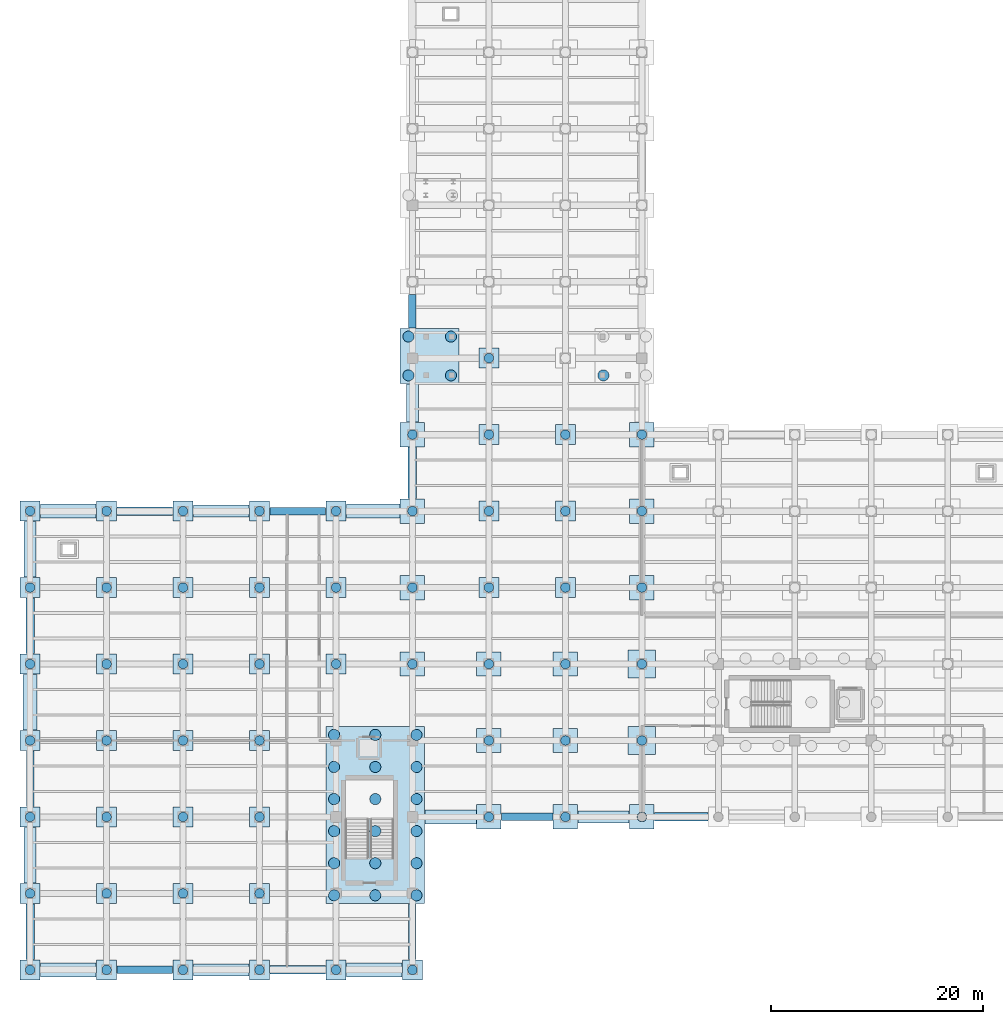
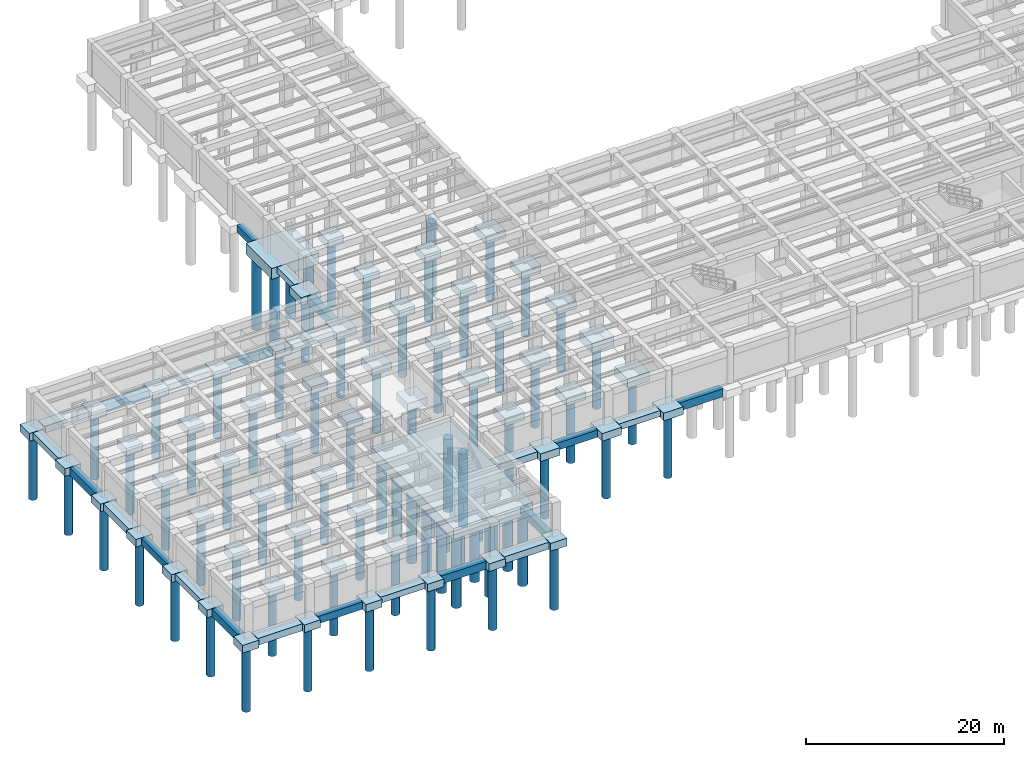
# One storey, part 1 of 34: 82 footings, 79 piles.
"""IFC4 building model written with IfcOpenShell, lengths in metres."""

from ifc_helpers import new_model, si_unit, direction, frame, origin, origin_2d, place, context, subcontext, project, spatial, polyline, rectangle, circle, outline, extrude, material, material_profile, profile_set, type_object, element, save


model = new_model("IFC4")

# Units and contexts
model_context = context("Model", 3, precision=1e-05, world=origin(), true_north=direction((0.0, 1.0)))
body_context = subcontext(model_context, "Body", "Model", "MODEL_VIEW")
ifc_project = project(units=[si_unit("LENGTHUNIT", "METRE"), si_unit("AREAUNIT", "SQUARE_METRE"), si_unit("VOLUMEUNIT", "CUBIC_METRE"), si_unit("PLANEANGLEUNIT", "RADIAN"), si_unit("MASSUNIT", "GRAM", prefix="KILO")], contexts=[model_context])

# Site, building, storey
site_placement = place(None, origin())
site = spatial("IfcSite", under=ifc_project, at=site_placement, CompositionType="ELEMENT")
building_placement = place(site_placement, origin())
building = spatial("IfcBuilding", under=site, at=building_placement, Name="Solenvale Faculty of Natural Sciences", CompositionType="ELEMENT")
storey_placement = place(building_placement, frame((0.0, 0.0, -4.5)))
storey = spatial("IfcBuildingStorey", under=building, at=storey_placement, Name="B01", CompositionType="ELEMENT", Elevation=-4.5)

# Footings
ifc_material = material(Name="Concrete 40 MPa", Category="concrete")
footing_type_1 = type_object("IfcFootingType", Name="FT-CAP-1900x1900x950", PredefinedType="PILE_CAP", material=ifc_material)
for number, where, z_axis, x_axis, name in (
    (1, (0.0, 0.0, -1.2998046875), (0.0, 0.0, 1.0), (1.0, 0.0, 0.0), "B01 Pile Cap 1"),
    (2, (7.199951171875, 0.0, -1.2998046875), (0.0, 0.0, 1.0), (1.0, 0.0, 0.0), "B01 Pile Cap 2"),
    (3, (14.39990234375, 0.0, -1.2998046875), (0.0, 0.0, 1.0), (1.0, 0.0, 0.0), "B01 Pile Cap 3"),
    (4, (21.60009765625, 0.0, -1.2998046875), (0.0, 0.0, 1.0), (1.0, 0.0, 0.0), "B01 Pile Cap 4"),
    (5, (28.800048828125, 0.0, -1.2998046875), (0.0, 0.0, 1.0), (1.0, 0.0, 0.0), "B01 Pile Cap 5"),
    (6, (36.0, 0.0, -1.2998046875), (0.0, 0.0, 1.0), (1.0, 0.0, 0.0), "B01 Pile Cap 6"),
    (7, (0.0, 7.199951171875, -1.2998046875), (0.0, 0.0, 1.0), (1.0, 0.0, 0.0), "B01 Pile Cap 7"),
    (8, (7.199951171875, 7.199951171875, -1.2998046875), (0.0, 0.0, 1.0), (1.0, 0.0, 0.0), "B01 Pile Cap 8"),
    (9, (14.39990234375, 7.199951171875, -1.2998046875), (0.0, 0.0, 1.0), (1.0, 0.0, 0.0), "B01 Pile Cap 9"),
    (10, (21.60009765625, 7.199951171875, -1.2998046875), (0.0, 0.0, 1.0), (1.0, 0.0, 0.0), "B01 Pile Cap 10"),
    (11, (0.0, 14.39990234375, -1.2998046875), (0.0, 0.0, 1.0), (1.0, 0.0, 0.0), "B01 Pile Cap 15"),
    (12, (7.199951171875, 14.39990234375, -1.2998046875), (0.0, 0.0, 1.0), (1.0, 0.0, 0.0), "B01 Pile Cap 16"),
    (13, (14.39990234375, 14.39990234375, -1.2998046875), (0.0, 0.0, 1.0), (1.0, 0.0, 0.0), "B01 Pile Cap 17"),
    (14, (21.60009765625, 14.39990234375, -1.2998046875), (0.0, 0.0, 1.0), (1.0, 0.0, 0.0), "B01 Pile Cap 18"),
    (15, (0.0, 21.60009765625, -1.2998046875), (0.0, 0.0, 1.0), (1.0, 0.0, 0.0), "B01 Pile Cap 35"),
    (16, (7.199951171875, 21.60009765625, -1.2998046875), (0.0, 0.0, 1.0), (1.0, 0.0, 0.0), "B01 Pile Cap 36"),
    (17, (14.39990234375, 21.60009765625, -1.2998046875), (0.0, 0.0, 1.0), (1.0, 0.0, 0.0), "B01 Pile Cap 37"),
    (18, (21.60009765625, 21.60009765625, -1.2998046875), (0.0, 0.0, 1.0), (1.0, 0.0, 0.0), "B01 Pile Cap 38"),
    (19, (0.0, 28.800048828125, -1.2998046875), (0.0, 0.0, 1.0), (1.0, 0.0, 0.0), "B01 Pile Cap 46"),
    (20, (7.199951171875, 28.800048828125, -1.2998046875), (0.0, 0.0, 1.0), (1.0, 0.0, 0.0), "B01 Pile Cap 47"),
    (21, (14.39990234375, 28.800048828125, -1.2998046875), (0.0, 0.0, 1.0), (1.0, 0.0, 0.0), "B01 Pile Cap 48"),
    (22, (21.60009765625, 28.800048828125, -1.2998046875), (0.0, 0.0, 1.0), (1.0, 0.0, 0.0), "B01 Pile Cap 49"),
    (23, (28.800048828125, 28.800048828125, -1.2998046875), (0.0, 0.0, 1.0), (1.0, 0.0, 0.0), "B01 Pile Cap 50"),
    (24, (0.0, 36.0, -1.2998046875), (0.0, 0.0, 1.0), (1.0, 0.0, 0.0), "B01 Pile Cap 67"),
    (25, (7.199951171875, 36.0, -1.2998046875), (0.0, 0.0, 1.0), (1.0, 0.0, 0.0), "B01 Pile Cap 68"),
    (26, (14.39990234375, 36.0, -1.2998046875), (0.0, 0.0, 1.0), (1.0, 0.0, 0.0), "B01 Pile Cap 69"),
    (27, (21.60009765625, 36.0, -1.2998046875), (0.0, 0.0, 1.0), (1.0, 0.0, 0.0), "B01 Pile Cap 70"),
    (28, (28.800048828125, 36.0, -1.2998046875), (0.0, 0.0, 1.0), (1.0, 0.0, 0.0), "B01 Pile Cap 71"),
    (29, (43.199951171875, 36.0, -1.2998046875), (0.0, 0.0, 1.0), (1.0, 0.0, 0.0), "B01 Pile Cap 72"),
    (30, (50.39990234375, 36.0, -1.2998046875), (0.0, 0.0, 1.0), (1.0, 0.0, 0.0), "B01 Pile Cap 73"),
    (31, (0.0, 43.199951171875, -1.2998046875), (0.0, 0.0, 1.0), (1.0, 0.0, 0.0), "B01 Pile Cap 91"),
    (32, (7.199951171875, 43.199951171875, -1.2998046875), (0.0, 0.0, 1.0), (1.0, 0.0, 0.0), "B01 Pile Cap 92"),
    (33, (14.39990234375, 43.199951171875, -1.2998046875), (0.0, 0.0, 1.0), (1.0, 0.0, 0.0), "B01 Pile Cap 93"),
    (34, (21.60009765625, 43.199951171875, -1.2998046875), (0.0, 0.0, 1.0), (1.0, 0.0, 0.0), "B01 Pile Cap 94"),
    (35, (28.800048828125, 43.199951171875, -1.2998046875), (0.0, 0.0, 1.0), (1.0, 0.0, 0.0), "B01 Pile Cap 95"),
    (36, (43.199951171875, 43.199951171875, -1.2998046875), (0.0, 0.0, 1.0), (1.0, 0.0, 0.0), "B01 Pile Cap 96"),
    (37, (50.39990234375, 43.199951171875, -1.2998046875), (0.0, 0.0, 1.0), (1.0, 0.0, 0.0), "B01 Pile Cap 97"),
    (38, (43.199951171875, 50.39990234375, -1.2998046875), (0.0, 0.0, 1.0), (1.0, 0.0, 0.0), "B01 Pile Cap 106"),
    (39, (50.39990234375, 50.39990234375, -1.2998046875), (0.0, 0.0, 1.0), (1.0, 0.0, 0.0), "B01 Pile Cap 107"),
    (40, (43.199951171875, 57.60009765625, -1.2998046875), (0.0, 0.0, 1.0), (1.0, 0.0, 0.0), "B01 Pile Cap 121"),
):
    element("IfcFooting", number, at=place(storey_placement, frame(where, z_axis=z_axis, x_axis=x_axis)), inside=storey, type_object=footing_type_1, Name=name, PredefinedType="PILE_CAP", context=body_context, shape_type="SweptSolid", body=[
        extrude(rectangle(XDim=1.89990234375, YDim=1.89990234375, at=origin_2d()), origin(), (0.0, 0.0, 1.0), 0.949951171875),
    ])
footing_type_2 = type_object("IfcFootingType", Name="FT-CAP-2300x2300x950", PredefinedType="PILE_CAP", material=ifc_material)
for number, where, z_axis, x_axis, name in (
    (41, (43.199951171875, 14.39990234375, -1.2998046875), (0.0, 0.0, 1.0), (1.0, 0.0, 0.0), "B01 Pile Cap 12"),
    (42, (50.39990234375, 14.39990234375, -1.2998046875), (0.0, 0.0, 1.0), (1.0, 0.0, 0.0), "B01 Pile Cap 13"),
    (43, (57.60009765625, 14.39990234375, -1.2998046875), (0.0, 0.0, 1.0), (1.0, 0.0, 0.0), "B01 Pile Cap 14"),
    (44, (43.199951171875, 21.60009765625, -1.2998046875), (0.0, 0.0, 1.0), (1.0, 0.0, 0.0), "B01 Pile Cap 33"),
    (45, (50.39990234375, 21.60009765625, -1.2998046875), (0.0, 0.0, 1.0), (1.0, 0.0, 0.0), "B01 Pile Cap 34"),
    (46, (36.0, 28.800048828125, -1.2998046875), (0.0, 0.0, 1.0), (1.0, 0.0, 0.0), "B01 Pile Cap 43"),
    (47, (43.199951171875, 28.800048828125, -1.2998046875), (0.0, 0.0, 1.0), (1.0, 0.0, 0.0), "B01 Pile Cap 44"),
    (48, (50.39990234375, 28.800048828125, -1.2998046875), (0.0, 0.0, 1.0), (1.0, 0.0, 0.0), "B01 Pile Cap 45"),
    (49, (36.0, 36.0, -1.2998046875), (0.0, 0.0, 1.0), (1.0, 0.0, 0.0), "B01 Pile Cap 51"),
    (50, (57.60009765625, 36.0, -1.2998046875), (0.0, 0.0, 1.0), (1.0, 0.0, 0.0), "B01 Pile Cap 52"),
    (51, (36.0, 43.199951171875, -1.2998046875), (0.0, 0.0, 1.0), (1.0, 0.0, 0.0), "B01 Pile Cap 75"),
    (52, (57.60009765625, 43.199951171875, -1.2998046875), (0.0, 0.0, 1.0), (1.0, 0.0, 0.0), "B01 Pile Cap 76"),
    (53, (36.0, 50.39990234375, -1.2998046875), (0.0, 0.0, 1.0), (1.0, 0.0, 0.0), "B01 Pile Cap 100"),
    (54, (57.60009765625, 50.39990234375, -1.2998046875), (0.0, 0.0, 1.0), (1.0, 0.0, 0.0), "B01 Pile Cap 101"),
):
    element("IfcFooting", number, at=place(storey_placement, frame(where, z_axis=z_axis, x_axis=x_axis)), inside=storey, type_object=footing_type_2, Name=name, PredefinedType="PILE_CAP", context=body_context, shape_type="SweptSolid", body=[
        extrude(rectangle(XDim=2.300048828125, YDim=2.300048828125, at=origin_2d()), origin(), (0.0, 0.0, 1.0), 0.949951171875),
    ])
footing_type_3 = type_object("IfcFootingType", Name="FT-CAP-2600x2600x1150", PredefinedType="PILE_CAP", material=ifc_material)
for number, where, z_axis, x_axis, name in (
    (55, (57.60009765625, 21.60009765625, -1.5), (0.0, 0.0, 1.0), (1.0, 0.0, 0.0), "B01 Pile Cap 27"),
    (56, (57.60009765625, 28.800048828125, -1.5), (0.0, 0.0, 1.0), (1.0, 0.0, 0.0), "B01 Pile Cap 39"),
):
    element("IfcFooting", number, at=place(storey_placement, frame(where, z_axis=z_axis, x_axis=x_axis)), inside=storey, type_object=footing_type_3, Name=name, PredefinedType="PILE_CAP", context=body_context, shape_type="SweptSolid", body=[
        extrude(rectangle(XDim=2.60009765625, YDim=2.60009765625, at=origin_2d()), origin(), (0.0, 0.0, 1.0), 1.14990234375),
    ])
footing_type_4 = type_object("IfcFootingType", Name="FT-CAP-5550x5200x1350", PredefinedType="PILE_CAP", material=ifc_material)
footing_1_placement = place(storey_placement, frame((37.625, 57.800048828125, -1.699951171875), z_axis=(0.0, 0.0, 1.0), x_axis=(1.0, 0.0, 0.0)))
element("IfcFooting", 57, at=footing_1_placement, inside=storey, type_object=footing_type_4, Name="B01 Pile Cap 116", PredefinedType="PILE_CAP", context=body_context, shape_type="SweptSolid", body=[
    extrude(rectangle(XDim=5.550048828125, YDim=5.199951171875, at=origin_2d()), origin(), (0.0, 0.0, 1.0), 1.35009765625),
])
footing_type_5 = type_object("IfcFootingType", Name="FT-CAP-9300x16650x1350", PredefinedType="PILE_CAP", material=ifc_material)
footing_2_placement = place(storey_placement, frame((32.5, 14.574951171875, -1.699951171875), z_axis=(0.0, 0.0, 1.0), x_axis=(1.0, 0.0, 0.0)))
element("IfcFooting", 58, at=footing_2_placement, inside=storey, type_object=footing_type_5, Name="B01 Pile Cap 11", PredefinedType="PILE_CAP", context=body_context, shape_type="SweptSolid", body=[
    extrude(rectangle(XDim=9.300048828125, YDim=16.64990234375, at=origin_2d()), origin(), (0.0, 0.0, 1.0), 1.35009765625),
])
footing_type_6 = type_object("IfcFootingType", Name="FT-GB-700x900", PredefinedType="FOOTING_BEAM", material=ifc_material)
footing_3_placement = place(storey_placement, frame((0.0, 0.0, -1.25)))
element("IfcFooting", 59, at=footing_3_placement, inside=storey, type_object=footing_type_6, Name="B01 Continuous Foundation Beam 1.4", PredefinedType="FOOTING_BEAM", context=body_context, shape_type="SweptSolid", body=[
    extrude(outline(polyline([(22.590087890625, 42.85009765625), (27.81005859375, 42.85009765625), (27.81005859375, 43.550048828125), (22.590087890625, 43.550048828125), (22.590087890625, 42.85009765625)])), origin(), (0.0, 0.0, 1.0), 0.89990234375),
])
footing_4_placement = place(storey_placement, frame((0.0, 0.0, -1.25)))
element("IfcFooting", 60, at=footing_4_placement, inside=storey, type_object=footing_type_6, Name="B01 Continuous Foundation Beam 2.3", PredefinedType="FOOTING_BEAM", context=body_context, shape_type="SweptSolid", body=[
    extrude(outline(polyline([(35.64990234375, 60.43994140625), (36.35009765625, 60.43994140625), (36.35009765625, 63.610107421875), (35.64990234375, 63.610107421875), (35.64990234375, 60.43994140625)])), origin(), (0.0, 0.0, 1.0), 0.89990234375),
])
footing_5_placement = place(storey_placement, frame((0.0, 0.0, -1.25)))
element("IfcFooting", 61, at=footing_5_placement, inside=storey, type_object=footing_type_6, Name="B01 Continuous Foundation Beam 19.10", PredefinedType="FOOTING_BEAM", context=body_context, shape_type="SweptSolid", body=[
    extrude(outline(polyline([(44.389892578125, 14.050048828125), (49.2099609375, 14.050048828125), (49.2099609375, 14.75), (44.389892578125, 14.75), (44.389892578125, 14.050048828125)])), origin(), (0.0, 0.0, 1.0), 0.89990234375),
])
footing_6_placement = place(storey_placement, frame((0.0, 0.0, -1.25)))
element("IfcFooting", 62, at=footing_6_placement, inside=storey, type_object=footing_type_6, Name="B01 Continuous Foundation Beam 20.1", PredefinedType="FOOTING_BEAM", context=body_context, shape_type="SweptSolid", body=[
    extrude(outline(polyline([(35.64990234375, 0.989990234375), (36.35009765625, 0.989990234375), (36.35009765625, 6.2099609375), (35.64990234375, 6.2099609375), (35.64990234375, 0.989990234375)])), origin(), (0.0, 0.0, 1.0), 0.89990234375),
])
footing_7_placement = place(storey_placement, frame((0.0, 0.0, -1.25)))
element("IfcFooting", 63, at=footing_7_placement, inside=storey, type_object=footing_type_6, Name="B01 Continuous Foundation Beam 21.4", PredefinedType="FOOTING_BEAM", context=body_context, shape_type="SweptSolid", body=[
    extrude(outline(polyline([(8.18994140625, -0.35009765625), (13.409912109375, -0.35009765625), (13.409912109375, 0.35009765625), (8.18994140625, 0.35009765625), (8.18994140625, -0.35009765625)])), origin(), (0.0, 0.0, 1.0), 0.89990234375),
])
footing_8_placement = place(storey_placement, frame((0.0, 0.0, -1.25)))
element("IfcFooting", 64, at=footing_8_placement, inside=storey, type_object=footing_type_6, Name="B01 Continuous Foundation Beam 22.3", PredefinedType="FOOTING_BEAM", context=body_context, shape_type="SweptSolid", body=[
    extrude(outline(polyline([(-0.35009765625, 15.389892578125), (0.35009765625, 15.389892578125), (0.35009765625, 20.610107421875), (-0.35009765625, 20.610107421875), (-0.35009765625, 15.389892578125)])), origin(), (0.0, 0.0, 1.0), 0.89990234375),
])
footing_type_7 = type_object("IfcFootingType", Name="FT-GB-800x1000", PredefinedType="FOOTING_BEAM", material=ifc_material)
footing_9_placement = place(storey_placement, frame((0.0, 0.0, -1.35009765625)))
element("IfcFooting", 65, at=footing_9_placement, inside=storey, type_object=footing_type_7, Name="B01 Continuous Foundation Beam 1.2", PredefinedType="FOOTING_BEAM", context=body_context, shape_type="SweptSolid", body=[
    extrude(outline(polyline([(8.18994140625, 42.800048828125), (13.409912109375, 42.800048828125), (13.409912109375, 43.60009765625), (8.18994140625, 43.60009765625), (8.18994140625, 42.800048828125)])), origin(), (0.0, 0.0, 1.0), 1.0),
])
footing_10_placement = place(storey_placement, frame((0.0, 0.0, -1.35009765625)))
element("IfcFooting", 66, at=footing_10_placement, inside=storey, type_object=footing_type_7, Name="B01 Continuous Foundation Beam 2.1", PredefinedType="FOOTING_BEAM", context=body_context, shape_type="SweptSolid", body=[
    extrude(outline(polyline([(35.60009765625, 44.389892578125), (36.39990234375, 44.389892578125), (36.39990234375, 49.2099609375), (35.60009765625, 49.2099609375), (35.60009765625, 44.389892578125)])), origin(), (0.0, 0.0, 1.0), 1.0),
])
footing_11_placement = place(storey_placement, frame((0.0, 0.0, -1.35009765625)))
element("IfcFooting", 67, at=footing_11_placement, inside=storey, type_object=footing_type_7, Name="B01 Continuous Foundation Beam 19.8", PredefinedType="FOOTING_BEAM", context=body_context, shape_type="SweptSolid", body=[
    extrude(outline(polyline([(58.7900390625, 14.0), (63.81005859375, 14.0), (63.81005859375, 14.800048828125), (58.7900390625, 14.800048828125), (58.7900390625, 14.0)])), origin(), (0.0, 0.0, 1.0), 1.0),
])
footing_12_placement = place(storey_placement, frame((0.0, 0.0, -1.35009765625)))
element("IfcFooting", 68, at=footing_12_placement, inside=storey, type_object=footing_type_7, Name="B01 Continuous Foundation Beam 21.2", PredefinedType="FOOTING_BEAM", context=body_context, shape_type="SweptSolid", body=[
    extrude(outline(polyline([(22.590087890625, -0.39990234375), (27.81005859375, -0.39990234375), (27.81005859375, 0.39990234375), (22.590087890625, 0.39990234375), (22.590087890625, -0.39990234375)])), origin(), (0.0, 0.0, 1.0), 1.0),
])
footing_13_placement = place(storey_placement, frame((0.0, 0.0, -1.35009765625)))
element("IfcFooting", 69, at=footing_13_placement, inside=storey, type_object=footing_type_7, Name="B01 Continuous Foundation Beam 22.1", PredefinedType="FOOTING_BEAM", context=body_context, shape_type="SweptSolid", body=[
    extrude(outline(polyline([(-0.39990234375, 0.989990234375), (0.39990234375, 0.989990234375), (0.39990234375, 6.2099609375), (-0.39990234375, 6.2099609375), (-0.39990234375, 0.989990234375)])), origin(), (0.0, 0.0, 1.0), 1.0),
])
footing_14_placement = place(storey_placement, frame((0.0, 0.0, -1.35009765625)))
element("IfcFooting", 70, at=footing_14_placement, inside=storey, type_object=footing_type_7, Name="B01 Continuous Foundation Beam 22.5", PredefinedType="FOOTING_BEAM", context=body_context, shape_type="SweptSolid", body=[
    extrude(outline(polyline([(-0.39990234375, 29.7900390625), (0.39990234375, 29.7900390625), (0.39990234375, 35.010009765625), (-0.39990234375, 35.010009765625), (-0.39990234375, 29.7900390625)])), origin(), (0.0, 0.0, 1.0), 1.0),
])
footing_type_8 = type_object("IfcFootingType", Name="FT-ST-1100x750", PredefinedType="STRIP_FOOTING", material=ifc_material)
footing_15_placement = place(storey_placement, frame((0.0, 0.0, -1.10009765625)))
element("IfcFooting", 71, at=footing_15_placement, inside=storey, type_object=footing_type_8, Name="B01 Continuous Foundation Beam 1.3", PredefinedType="STRIP_FOOTING", context=body_context, shape_type="SweptSolid", body=[
    extrude(outline(polyline([(15.389892578125, 42.64990234375), (20.610107421875, 42.64990234375), (20.610107421875, 43.75), (15.389892578125, 43.75), (15.389892578125, 42.64990234375)])), origin(), (0.0, 0.0, 1.0), 0.75),
])
footing_16_placement = place(storey_placement, frame((0.0, 0.0, -1.10009765625)))
element("IfcFooting", 72, at=footing_16_placement, inside=storey, type_object=footing_type_8, Name="B01 Continuous Foundation Beam 2.2", PredefinedType="STRIP_FOOTING", context=body_context, shape_type="SweptSolid", body=[
    extrude(outline(polyline([(35.449951171875, 51.590087890625), (36.550048828125, 51.590087890625), (36.550048828125, 55.159912109375), (35.449951171875, 55.159912109375), (35.449951171875, 51.590087890625)])), origin(), (0.0, 0.0, 1.0), 0.75),
])
footing_17_placement = place(storey_placement, frame((0.0, 0.0, -1.10009765625)))
element("IfcFooting", 73, at=footing_17_placement, inside=storey, type_object=footing_type_8, Name="B01 Continuous Foundation Beam 19.9", PredefinedType="STRIP_FOOTING", context=body_context, shape_type="SweptSolid", body=[
    extrude(outline(polyline([(51.590087890625, 13.85009765625), (56.409912109375, 13.85009765625), (56.409912109375, 14.949951171875), (51.590087890625, 14.949951171875), (51.590087890625, 13.85009765625)])), origin(), (0.0, 0.0, 1.0), 0.75),
])
footing_18_placement = place(storey_placement, frame((0.0, 0.0, -1.10009765625)))
element("IfcFooting", 74, at=footing_18_placement, inside=storey, type_object=footing_type_8, Name="B01 Continuous Foundation Beam 21.3", PredefinedType="STRIP_FOOTING", context=body_context, shape_type="SweptSolid", body=[
    extrude(outline(polyline([(15.389892578125, -0.550048828125), (20.610107421875, -0.550048828125), (20.610107421875, 0.550048828125), (15.389892578125, 0.550048828125), (15.389892578125, -0.550048828125)])), origin(), (0.0, 0.0, 1.0), 0.75),
])
footing_19_placement = place(storey_placement, frame((0.0, 0.0, -1.10009765625)))
element("IfcFooting", 75, at=footing_19_placement, inside=storey, type_object=footing_type_8, Name="B01 Continuous Foundation Beam 22.2", PredefinedType="STRIP_FOOTING", context=body_context, shape_type="SweptSolid", body=[
    extrude(outline(polyline([(-0.550048828125, 8.18994140625), (0.550048828125, 8.18994140625), (0.550048828125, 13.409912109375), (-0.550048828125, 13.409912109375), (-0.550048828125, 8.18994140625)])), origin(), (0.0, 0.0, 1.0), 0.75),
])
footing_20_placement = place(storey_placement, frame((0.0, 0.0, -1.10009765625)))
element("IfcFooting", 76, at=footing_20_placement, inside=storey, type_object=footing_type_8, Name="B01 Continuous Foundation Beam 22.6", PredefinedType="STRIP_FOOTING", context=body_context, shape_type="SweptSolid", body=[
    extrude(outline(polyline([(-0.550048828125, 36.989990234375), (0.550048828125, 36.989990234375), (0.550048828125, 42.2099609375), (-0.550048828125, 42.2099609375), (-0.550048828125, 36.989990234375)])), origin(), (0.0, 0.0, 1.0), 0.75),
])
footing_type_9 = type_object("IfcFootingType", Name="FT-ST-1300x850", PredefinedType="STRIP_FOOTING", material=ifc_material)
footing_21_placement = place(storey_placement, frame((0.0, 0.0, -1.199951171875)))
element("IfcFooting", 77, at=footing_21_placement, inside=storey, type_object=footing_type_9, Name="B01 Continuous Foundation Beam 1.1", PredefinedType="STRIP_FOOTING", context=body_context, shape_type="SweptSolid", body=[
    extrude(outline(polyline([(0.989990234375, 42.550048828125), (6.2099609375, 42.550048828125), (6.2099609375, 43.85009765625), (0.989990234375, 43.85009765625), (0.989990234375, 42.550048828125)])), origin(), (0.0, 0.0, 1.0), 0.849853515625),
])
footing_22_placement = place(storey_placement, frame((0.0, 0.0, -1.199951171875)))
element("IfcFooting", 78, at=footing_22_placement, inside=storey, type_object=footing_type_9, Name="B01 Continuous Foundation Beam 1.5", PredefinedType="STRIP_FOOTING", context=body_context, shape_type="SweptSolid", body=[
    extrude(outline(polyline([(29.7900390625, 42.550048828125), (34.81005859375, 42.550048828125), (34.81005859375, 43.85009765625), (29.7900390625, 43.85009765625), (29.7900390625, 42.550048828125)])), origin(), (0.0, 0.0, 1.0), 0.849853515625),
])
footing_23_placement = place(storey_placement, frame((0.0, 0.0, -1.199951171875)))
element("IfcFooting", 79, at=footing_23_placement, inside=storey, type_object=footing_type_9, Name="B01 Continuous Foundation Beam 19.11", PredefinedType="STRIP_FOOTING", context=body_context, shape_type="SweptSolid", body=[
    extrude(outline(polyline([(37.18994140625, 13.75), (42.010009765625, 13.75), (42.010009765625, 15.050048828125), (37.18994140625, 15.050048828125), (37.18994140625, 13.75)])), origin(), (0.0, 0.0, 1.0), 0.849853515625),
])
footing_24_placement = place(storey_placement, frame((0.0, 0.0, -1.199951171875)))
element("IfcFooting", 80, at=footing_24_placement, inside=storey, type_object=footing_type_9, Name="B01 Continuous Foundation Beam 21.1", PredefinedType="STRIP_FOOTING", context=body_context, shape_type="SweptSolid", body=[
    extrude(outline(polyline([(29.7900390625, -0.64990234375), (35.010009765625, -0.64990234375), (35.010009765625, 0.64990234375), (29.7900390625, 0.64990234375), (29.7900390625, -0.64990234375)])), origin(), (0.0, 0.0, 1.0), 0.849853515625),
])
footing_25_placement = place(storey_placement, frame((0.0, 0.0, -1.199951171875)))
element("IfcFooting", 81, at=footing_25_placement, inside=storey, type_object=footing_type_9, Name="B01 Continuous Foundation Beam 21.5", PredefinedType="STRIP_FOOTING", context=body_context, shape_type="SweptSolid", body=[
    extrude(outline(polyline([(0.989990234375, -0.64990234375), (6.2099609375, -0.64990234375), (6.2099609375, 0.64990234375), (0.989990234375, 0.64990234375), (0.989990234375, -0.64990234375)])), origin(), (0.0, 0.0, 1.0), 0.849853515625),
])
footing_26_placement = place(storey_placement, frame((0.0, 0.0, -1.199951171875)))
element("IfcFooting", 82, at=footing_26_placement, inside=storey, type_object=footing_type_9, Name="B01 Continuous Foundation Beam 22.4", PredefinedType="STRIP_FOOTING", context=body_context, shape_type="SweptSolid", body=[
    extrude(outline(polyline([(-0.64990234375, 22.590087890625), (0.64990234375, 22.590087890625), (0.64990234375, 27.81005859375), (-0.64990234375, 27.81005859375), (-0.64990234375, 22.590087890625)])), origin(), (0.0, 0.0, 1.0), 0.849853515625),
])

# Piles
ifc_material_profile_1 = material_profile(ifc_material, circle(Radius=0.52490234375, at=origin_2d()), Name="PILE-D1050")
ifc_profile_set_1 = profile_set([ifc_material_profile_1], Name="Concrete 40 MPa")
pile_type_1 = type_object("IfcPileType", Name="PL-BOR-1050", PredefinedType="BORED", material=ifc_profile_set_1)
for number, where, z_axis, x_axis, name in (
    (83, (28.625, 7.02490234375, -1.60009765625), (0.0, 0.0, -1.0), (1.0, 0.0, 0.0), "B01 Bored Pile 93"),
    (84, (28.625, 10.044921875, -1.60009765625), (0.0, 0.0, -1.0), (1.0, 0.0, 0.0), "B01 Bored Pile 94"),
    (85, (28.625, 13.06494140625, -1.60009765625), (0.0, 0.0, -1.0), (1.0, 0.0, 0.0), "B01 Bored Pile 95"),
    (86, (28.625, 16.0849609375, -1.60009765625), (0.0, 0.0, -1.0), (1.0, 0.0, 0.0), "B01 Bored Pile 96"),
    (87, (28.625, 19.10498046875, -1.60009765625), (0.0, 0.0, -1.0), (1.0, 0.0, 0.0), "B01 Bored Pile 97"),
    (88, (28.625, 22.125, -1.60009765625), (0.0, 0.0, -1.0), (1.0, 0.0, 0.0), "B01 Bored Pile 98"),
    (89, (32.5, 7.02490234375, -1.60009765625), (0.0, 0.0, -1.0), (1.0, 0.0, 0.0), "B01 Bored Pile 99"),
    (90, (32.5, 10.044921875, -1.60009765625), (0.0, 0.0, -1.0), (1.0, 0.0, 0.0), "B01 Bored Pile 100"),
    (91, (32.5, 13.06494140625, -1.60009765625), (0.0, 0.0, -1.0), (1.0, 0.0, 0.0), "B01 Bored Pile 101"),
    (92, (32.5, 16.0849609375, -1.60009765625), (0.0, 0.0, -1.0), (1.0, 0.0, 0.0), "B01 Bored Pile 102"),
    (93, (32.5, 19.10498046875, -1.60009765625), (0.0, 0.0, -1.0), (1.0, 0.0, 0.0), "B01 Bored Pile 103"),
    (94, (32.5, 22.125, -1.60009765625), (0.0, 0.0, -1.0), (1.0, 0.0, 0.0), "B01 Bored Pile 104"),
    (95, (36.375, 7.02490234375, -1.60009765625), (0.0, 0.0, -1.0), (1.0, 0.0, 0.0), "B01 Bored Pile 105"),
    (96, (36.375, 10.044921875, -1.60009765625), (0.0, 0.0, -1.0), (1.0, 0.0, 0.0), "B01 Bored Pile 106"),
    (97, (36.375, 13.06494140625, -1.60009765625), (0.0, 0.0, -1.0), (1.0, 0.0, 0.0), "B01 Bored Pile 107"),
    (98, (36.375, 16.0849609375, -1.60009765625), (0.0, 0.0, -1.0), (1.0, 0.0, 0.0), "B01 Bored Pile 108"),
    (99, (36.375, 19.10498046875, -1.60009765625), (0.0, 0.0, -1.0), (1.0, 0.0, 0.0), "B01 Bored Pile 109"),
    (100, (36.375, 22.125, -1.60009765625), (0.0, 0.0, -1.0), (1.0, 0.0, 0.0), "B01 Bored Pile 110"),
    (101, (35.625, 55.97509765625, -1.60009765625), (0.0, 0.0, -1.0), (1.0, 0.0, 0.0), "B01 Bored Pile 275"),
    (102, (35.625, 59.625, -1.60009765625), (0.0, 0.0, -1.0), (1.0, 0.0, 0.0), "B01 Bored Pile 276"),
    (103, (39.625, 55.97509765625, -1.60009765625), (0.0, 0.0, -1.0), (1.0, 0.0, 0.0), "B01 Bored Pile 277"),
    (104, (39.625, 59.625, -1.60009765625), (0.0, 0.0, -1.0), (1.0, 0.0, 0.0), "B01 Bored Pile 278"),
    (105, (53.97509765625, 55.97509765625, -1.60009765625), (0.0, 0.0, -1.0), (1.0, 0.0, 0.0), "B01 Bored Pile 279"),
):
    element("IfcPile", number, at=place(storey_placement, frame(where, z_axis=z_axis, x_axis=x_axis)), inside=storey, type_object=pile_type_1, Name=name, PredefinedType="BORED", context=body_context, shape_type="SweptSolid", body=[
        extrude(circle(Radius=0.52490234375, at=origin_2d()), origin(), (0.0, 0.0, 1.0), 9.0),
    ])
ifc_material_profile_2 = material_profile(ifc_material, circle(Radius=0.449951171875, at=origin_2d()), Name="PILE-D900")
ifc_profile_set_2 = profile_set([ifc_material_profile_2], Name="Concrete 40 MPa")
pile_type_2 = type_object("IfcPileType", Name="PL-BOR-900", PredefinedType="BORED", material=ifc_profile_set_2)
for number, where, z_axis, x_axis, name in (
    (106, (0.0, 0.0, -1.199951171875), (0.0, 0.0, -1.0), (1.0, 0.0, 0.0), "B01 Bored Pile 83"),
    (107, (7.199951171875, 0.0, -1.199951171875), (0.0, 0.0, -1.0), (1.0, 0.0, 0.0), "B01 Bored Pile 84"),
    (108, (14.39990234375, 0.0, -1.199951171875), (0.0, 0.0, -1.0), (1.0, 0.0, 0.0), "B01 Bored Pile 85"),
    (109, (21.60009765625, 0.0, -1.199951171875), (0.0, 0.0, -1.0), (1.0, 0.0, 0.0), "B01 Bored Pile 86"),
    (110, (28.800048828125, 0.0, -1.199951171875), (0.0, 0.0, -1.0), (1.0, 0.0, 0.0), "B01 Bored Pile 87"),
    (111, (36.0, 0.0, -1.199951171875), (0.0, 0.0, -1.0), (1.0, 0.0, 0.0), "B01 Bored Pile 88"),
    (112, (0.0, 7.199951171875, -1.199951171875), (0.0, 0.0, -1.0), (1.0, 0.0, 0.0), "B01 Bored Pile 89"),
    (113, (7.199951171875, 7.199951171875, -1.199951171875), (0.0, 0.0, -1.0), (1.0, 0.0, 0.0), "B01 Bored Pile 90"),
    (114, (14.39990234375, 7.199951171875, -1.199951171875), (0.0, 0.0, -1.0), (1.0, 0.0, 0.0), "B01 Bored Pile 91"),
    (115, (21.60009765625, 7.199951171875, -1.199951171875), (0.0, 0.0, -1.0), (1.0, 0.0, 0.0), "B01 Bored Pile 92"),
    (116, (43.199951171875, 14.39990234375, -1.199951171875), (0.0, 0.0, -1.0), (1.0, 0.0, 0.0), "B01 Bored Pile 111"),
    (117, (50.39990234375, 14.39990234375, -1.199951171875), (0.0, 0.0, -1.0), (1.0, 0.0, 0.0), "B01 Bored Pile 112"),
    (118, (57.60009765625, 14.39990234375, -1.199951171875), (0.0, 0.0, -1.0), (1.0, 0.0, 0.0), "B01 Bored Pile 113"),
    (119, (0.0, 14.39990234375, -1.199951171875), (0.0, 0.0, -1.0), (1.0, 0.0, 0.0), "B01 Bored Pile 114"),
    (120, (7.199951171875, 14.39990234375, -1.199951171875), (0.0, 0.0, -1.0), (1.0, 0.0, 0.0), "B01 Bored Pile 115"),
    (121, (14.39990234375, 14.39990234375, -1.199951171875), (0.0, 0.0, -1.0), (1.0, 0.0, 0.0), "B01 Bored Pile 116"),
    (122, (21.60009765625, 14.39990234375, -1.199951171875), (0.0, 0.0, -1.0), (1.0, 0.0, 0.0), "B01 Bored Pile 117"),
    (123, (57.60009765625, 21.60009765625, -1.39990234375), (0.0, 0.0, -1.0), (1.0, 0.0, 0.0), "B01 Bored Pile 126"),
    (124, (43.199951171875, 21.60009765625, -1.199951171875), (0.0, 0.0, -1.0), (1.0, 0.0, 0.0), "B01 Bored Pile 163"),
    (125, (50.39990234375, 21.60009765625, -1.199951171875), (0.0, 0.0, -1.0), (1.0, 0.0, 0.0), "B01 Bored Pile 164"),
    (126, (0.0, 21.60009765625, -1.199951171875), (0.0, 0.0, -1.0), (1.0, 0.0, 0.0), "B01 Bored Pile 165"),
    (127, (7.199951171875, 21.60009765625, -1.199951171875), (0.0, 0.0, -1.0), (1.0, 0.0, 0.0), "B01 Bored Pile 166"),
    (128, (14.39990234375, 21.60009765625, -1.199951171875), (0.0, 0.0, -1.0), (1.0, 0.0, 0.0), "B01 Bored Pile 167"),
    (129, (21.60009765625, 21.60009765625, -1.199951171875), (0.0, 0.0, -1.0), (1.0, 0.0, 0.0), "B01 Bored Pile 168"),
    (130, (57.60009765625, 28.800048828125, -1.39990234375), (0.0, 0.0, -1.0), (1.0, 0.0, 0.0), "B01 Bored Pile 169"),
    (131, (36.0, 28.800048828125, -1.199951171875), (0.0, 0.0, -1.0), (1.0, 0.0, 0.0), "B01 Bored Pile 173"),
    (132, (43.199951171875, 28.800048828125, -1.199951171875), (0.0, 0.0, -1.0), (1.0, 0.0, 0.0), "B01 Bored Pile 174"),
    (133, (50.39990234375, 28.800048828125, -1.199951171875), (0.0, 0.0, -1.0), (1.0, 0.0, 0.0), "B01 Bored Pile 175"),
    (134, (0.0, 28.800048828125, -1.199951171875), (0.0, 0.0, -1.0), (1.0, 0.0, 0.0), "B01 Bored Pile 176"),
    (135, (7.199951171875, 28.800048828125, -1.199951171875), (0.0, 0.0, -1.0), (1.0, 0.0, 0.0), "B01 Bored Pile 177"),
    (136, (14.39990234375, 28.800048828125, -1.199951171875), (0.0, 0.0, -1.0), (1.0, 0.0, 0.0), "B01 Bored Pile 178"),
    (137, (21.60009765625, 28.800048828125, -1.199951171875), (0.0, 0.0, -1.0), (1.0, 0.0, 0.0), "B01 Bored Pile 179"),
    (138, (28.800048828125, 28.800048828125, -1.199951171875), (0.0, 0.0, -1.0), (1.0, 0.0, 0.0), "B01 Bored Pile 180"),
    (139, (36.0, 36.0, -1.199951171875), (0.0, 0.0, -1.0), (1.0, 0.0, 0.0), "B01 Bored Pile 181"),
    (140, (57.60009765625, 36.0, -1.199951171875), (0.0, 0.0, -1.0), (1.0, 0.0, 0.0), "B01 Bored Pile 182"),
    (141, (0.0, 36.0, -1.199951171875), (0.0, 0.0, -1.0), (1.0, 0.0, 0.0), "B01 Bored Pile 197"),
    (142, (7.199951171875, 36.0, -1.199951171875), (0.0, 0.0, -1.0), (1.0, 0.0, 0.0), "B01 Bored Pile 198"),
    (143, (14.39990234375, 36.0, -1.199951171875), (0.0, 0.0, -1.0), (1.0, 0.0, 0.0), "B01 Bored Pile 199"),
    (144, (21.60009765625, 36.0, -1.199951171875), (0.0, 0.0, -1.0), (1.0, 0.0, 0.0), "B01 Bored Pile 200"),
    (145, (28.800048828125, 36.0, -1.199951171875), (0.0, 0.0, -1.0), (1.0, 0.0, 0.0), "B01 Bored Pile 201"),
    (146, (43.199951171875, 36.0, -1.199951171875), (0.0, 0.0, -1.0), (1.0, 0.0, 0.0), "B01 Bored Pile 202"),
    (147, (50.39990234375, 36.0, -1.199951171875), (0.0, 0.0, -1.0), (1.0, 0.0, 0.0), "B01 Bored Pile 203"),
    (148, (36.0, 43.199951171875, -1.199951171875), (0.0, 0.0, -1.0), (1.0, 0.0, 0.0), "B01 Bored Pile 205"),
    (149, (57.60009765625, 43.199951171875, -1.199951171875), (0.0, 0.0, -1.0), (1.0, 0.0, 0.0), "B01 Bored Pile 206"),
    (150, (0.0, 43.199951171875, -1.199951171875), (0.0, 0.0, -1.0), (1.0, 0.0, 0.0), "B01 Bored Pile 221"),
    (151, (7.199951171875, 43.199951171875, -1.199951171875), (0.0, 0.0, -1.0), (1.0, 0.0, 0.0), "B01 Bored Pile 222"),
    (152, (14.39990234375, 43.199951171875, -1.199951171875), (0.0, 0.0, -1.0), (1.0, 0.0, 0.0), "B01 Bored Pile 223"),
    (153, (21.60009765625, 43.199951171875, -1.199951171875), (0.0, 0.0, -1.0), (1.0, 0.0, 0.0), "B01 Bored Pile 224"),
    (154, (28.800048828125, 43.199951171875, -1.199951171875), (0.0, 0.0, -1.0), (1.0, 0.0, 0.0), "B01 Bored Pile 225"),
    (155, (43.199951171875, 43.199951171875, -1.199951171875), (0.0, 0.0, -1.0), (1.0, 0.0, 0.0), "B01 Bored Pile 226"),
    (156, (50.39990234375, 43.199951171875, -1.199951171875), (0.0, 0.0, -1.0), (1.0, 0.0, 0.0), "B01 Bored Pile 227"),
    (157, (36.0, 50.39990234375, -1.199951171875), (0.0, 0.0, -1.0), (1.0, 0.0, 0.0), "B01 Bored Pile 245"),
    (158, (57.60009765625, 50.39990234375, -1.199951171875), (0.0, 0.0, -1.0), (1.0, 0.0, 0.0), "B01 Bored Pile 246"),
    (159, (43.199951171875, 50.39990234375, -1.199951171875), (0.0, 0.0, -1.0), (1.0, 0.0, 0.0), "B01 Bored Pile 265"),
    (160, (50.39990234375, 50.39990234375, -1.199951171875), (0.0, 0.0, -1.0), (1.0, 0.0, 0.0), "B01 Bored Pile 266"),
    (161, (43.199951171875, 57.60009765625, -1.199951171875), (0.0, 0.0, -1.0), (1.0, 0.0, 0.0), "B01 Bored Pile 286"),
):
    element("IfcPile", number, at=place(storey_placement, frame(where, z_axis=z_axis, x_axis=x_axis)), inside=storey, type_object=pile_type_2, Name=name, PredefinedType="BORED", context=body_context, shape_type="SweptSolid", body=[
        extrude(circle(Radius=0.449951171875, at=origin_2d()), origin(), (0.0, 0.0, 1.0), 8.0),
    ])

save(model, "model.ifc")
